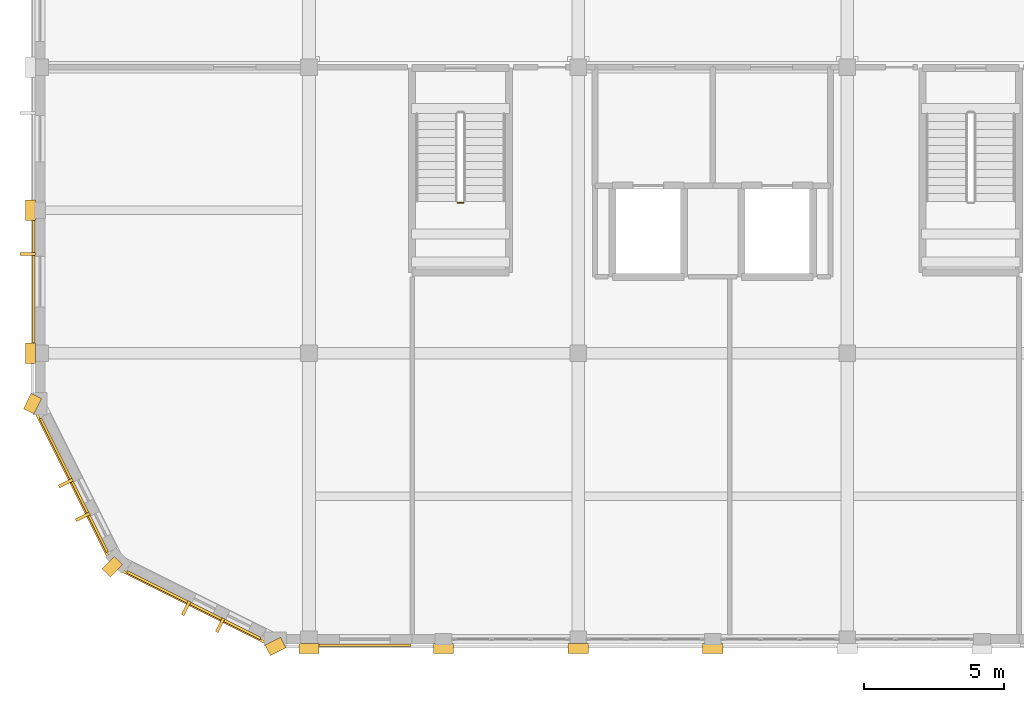
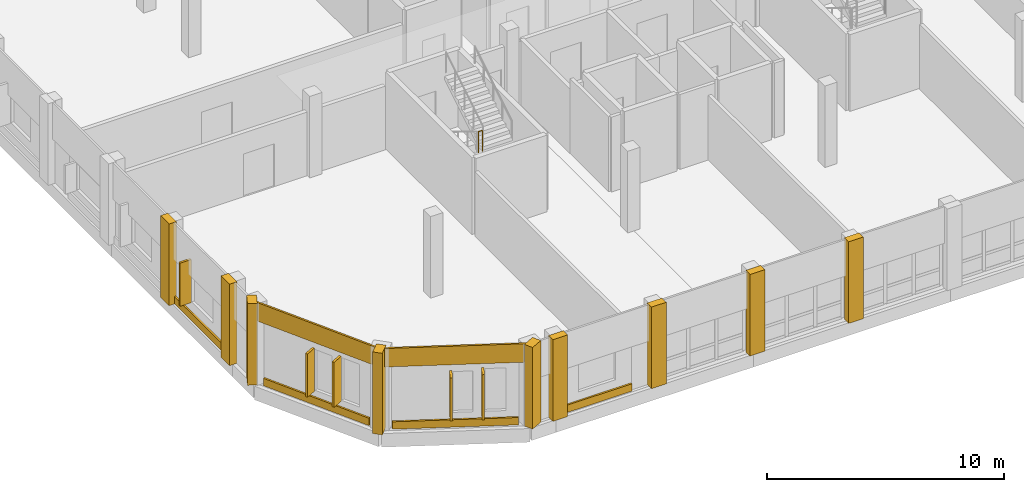
# One storey, part 86 of 93: 15 coverings, 5 shading devices, 1 railing.
"""IFC4 building model written with IfcOpenShell, lengths in metres."""

from ifc_helpers import new_model, si_unit, direction, frame, origin, origin_2d, place, context, subcontext, project, spatial, rectangle, circle, extrude, material, layer, layer_set, type_object, element, save


model = new_model("IFC4")

# Units and contexts
model_context = context("Model", 3, precision=1e-05, world=origin(), true_north=direction((0.0, 1.0)))
body_context = subcontext(model_context, "Body", "Model", "MODEL_VIEW")
ifc_project = project(units=[si_unit("LENGTHUNIT", "METRE"), si_unit("AREAUNIT", "SQUARE_METRE"), si_unit("VOLUMEUNIT", "CUBIC_METRE"), si_unit("PLANEANGLEUNIT", "RADIAN"), si_unit("MASSUNIT", "GRAM", prefix="KILO")], contexts=[model_context])

# Site, building, storey
site_placement = place(None, origin())
site = spatial("IfcSite", under=ifc_project, at=site_placement, CompositionType="ELEMENT")
building_placement = place(site_placement, origin())
building = spatial("IfcBuilding", under=site, at=building_placement, Name="Vondelvale Polytechnic", CompositionType="ELEMENT")
storey_placement = place(building_placement, frame((0.0, 0.0, 18.0)))
storey = spatial("IfcBuildingStorey", under=building, at=storey_placement, Name="L04", CompositionType="ELEMENT", Elevation=18.0)

# Coverings
ifc_material_1 = material(Name="Amsterdam School iron-spot clinker clay brickwork", Category="masonry")
ifc_layer_1 = layer(ifc_material_1, 0.090087890625)
ifc_layer_set_1 = layer_set([ifc_layer_1], Name="COV-BRICK-RELIEF")
covering_type = type_object("IfcCoveringType", Name="COV-BRICK-RELIEF", PredefinedType="CLADDING", material=ifc_layer_set_1)
for number, where, z_axis, x_axis, name in (
    (1, (5.4814453125, 1.1630859375, 3.25), (0.0, 0.0, 1.0), (-0.89438856037, 0.447290848419, 0.0), "L04 exterior masonry spandrel band"),
    (2, (1.1630859375, 5.4814453125, 3.25), (0.0, 0.0, 1.0), (-0.447290848419, 0.89438856037, 0.0), "L04 exterior masonry spandrel band"),
):
    element("IfcCovering", number, at=place(storey_placement, frame(where, z_axis=z_axis, x_axis=x_axis)), inside=storey, type_object=covering_type, Name=name, PredefinedType="CLADDING", context=body_context, shape_type="SweptSolid", body=[
        extrude(rectangle(XDim=6.260986328125, YDim=0.090087890625, at=origin_2d()), origin(), (0.0, 0.0, 1.0), 0.949951171875),
    ])
for number, where, z_axis, x_axis, name in (
    (3, (5.491943359375, 1.212646484375, 0.0), (0.0, 0.0, 1.0), (-0.89438856037, 0.447290848419, 0.0), "L04 exterior corbelled masonry relief band"),
    (4, (1.212646484375, 5.491943359375, 0.0), (0.0, 0.0, 1.0), (-0.447290848419, 0.89438856037, 0.0), "L04 exterior corbelled masonry relief band"),
):
    element("IfcCovering", number, at=place(storey_placement, frame(where, z_axis=z_axis, x_axis=x_axis)), inside=storey, type_object=covering_type, Name=name, PredefinedType="CLADDING", context=body_context, shape_type="SweptSolid", body=[
        extrude(rectangle(XDim=5.330078125, YDim=0.090087890625, at=origin_2d()), origin(), (0.0, 0.0, 1.0), 0.3798828125),
    ])
covering_1_placement = place(storey_placement, frame((11.587890625, -0.216064453125, 0.0), z_axis=(0.0, 0.0, 1.0), x_axis=(-1.0, 0.0, 0.0)))
element("IfcCovering", 5, at=covering_1_placement, inside=storey, type_object=covering_type, Name="L04 exterior corbelled masonry relief band", PredefinedType="CLADDING", context=body_context, shape_type="SweptSolid", body=[
    extrude(rectangle(XDim=3.31396484375, YDim=0.090087890625, at=origin_2d()), origin(), (0.0, 0.0, 1.0), 0.3798828125),
])
covering_2_placement = place(storey_placement, frame((-0.216064453125, 12.75, 0.0), z_axis=(0.0, 0.0, 1.0), x_axis=(0.0, 1.0, 0.0)))
element("IfcCovering", 6, at=covering_2_placement, inside=storey, type_object=covering_type, Name="L04 exterior corbelled masonry relief band", PredefinedType="CLADDING", context=body_context, shape_type="SweptSolid", body=[
    extrude(rectangle(XDim=4.43798828125, YDim=0.090087890625, at=origin_2d()), origin(), (0.0, 0.0, 1.0), 0.3798828125),
])
for number, where, z_axis, x_axis, name in (
    (7, (9.60009765625, -0.340087890625, 0.0), (0.0, 0.0, 1.0), (1.0, 0.0, 0.0), "L04 Classical street pilaster"),
    (8, (14.39990234375, -0.340087890625, 0.0), (0.0, 0.0, 1.0), (1.0, 0.0, 0.0), "L04 Classical street pilaster"),
    (9, (19.199951171875, -0.340087890625, 0.0), (0.0, 0.0, 1.0), (1.0, 0.0, 0.0), "L04 Classical street pilaster"),
    (10, (24.0, -0.340087890625, 0.0), (0.0, 0.0, 1.0), (1.0, 0.0, 0.0), "L04 Classical street pilaster"),
):
    element("IfcCovering", number, at=place(storey_placement, frame(where, z_axis=z_axis, x_axis=x_axis)), inside=storey, type_object=covering_type, Name=name, PredefinedType="CLADDING", context=body_context, shape_type="SweptSolid", body=[
        extrude(rectangle(XDim=0.719970703125, YDim=0.360107421875, at=origin_2d()), origin(), (0.0, 0.0, 1.0), 4.199951171875),
    ])
for number, where, z_axis, x_axis, name in (
    (11, (-0.340087890625, 10.199951171875, 0.0), (0.0, 0.0, 1.0), (1.0, 0.0, 0.0), "L04 Classical street pilaster"),
    (12, (-0.340087890625, 15.300048828125, 0.0), (0.0, 0.0, 1.0), (1.0, 0.0, 0.0), "L04 Classical street pilaster"),
):
    element("IfcCovering", number, at=place(storey_placement, frame(where, z_axis=z_axis, x_axis=x_axis)), inside=storey, type_object=covering_type, Name=name, PredefinedType="CLADDING", context=body_context, shape_type="SweptSolid", body=[
        extrude(rectangle(XDim=0.360107421875, YDim=0.719970703125, at=origin_2d()), origin(), (0.0, 0.0, 1.0), 4.199951171875),
    ])
for number, where, z_axis, x_axis, name in (
    (13, (8.39990234375, -0.260009765625, 0.0), (0.0, 0.0, 1.0), (0.894934361602, 0.44619781311, 0.0), "L04 Amsterdam School turret buttress rib"),
    (14, (2.580078125, 2.580078125, 0.0), (0.0, 0.0, 1.0), (0.707106781187, 0.707106781187, 0.0), "L04 Amsterdam School turret buttress rib"),
    (15, (-0.260009765625, 8.39990234375, 0.0), (0.0, 0.0, 1.0), (0.44619781311, 0.894934361602, 0.0), "L04 Amsterdam School turret buttress rib"),
):
    element("IfcCovering", number, at=place(storey_placement, frame(where, z_axis=z_axis, x_axis=x_axis)), inside=storey, type_object=covering_type, Name=name, PredefinedType="CLADDING", context=body_context, shape_type="SweptSolid", body=[
        extrude(rectangle(XDim=0.6201171875, YDim=0.419921875, at=origin_2d()), origin(), (0.0, 0.0, 1.0), 4.199951171875),
    ])

# Railing
ifc_material_2 = material(Name="Brushed architectural stainless and zinc-coated metal")
ifc_layer_2 = layer(ifc_material_2, 0.050048828125)
ifc_layer_set_2 = layer_set([ifc_layer_2], Name="RL-STAIR-GUARD")
railing_type = type_object("IfcRailingType", Name="RL-STAIR-GUARD", PredefinedType="GUARDRAIL", material=ifc_layer_set_2)
railing_placement = place(storey_placement, frame((14.89990234375, 15.56494140625, 2.10009765625)))
element("IfcRailing", 16, at=railing_placement, inside=storey, type_object=railing_type, Name="L04 ST-03 stair guard 2", PredefinedType="GUARDRAIL", context=body_context, shape_type="SweptSolid", body=[
    extrude(circle(Radius=0.02392578125, at=origin_2d()), frame((0.0, 0.0, 1.076171875), z_axis=(1.0, 0.0, 0.0), x_axis=(0.0, 1.0, 0.0)), (0.0, 0.0, 1.0), 0.2001953125),
    extrude(circle(Radius=0.02099609375, at=origin_2d()), origin(), (0.0, 0.0, 1.0), 1.052001953125),
    extrude(circle(Radius=0.02099609375, at=origin_2d()), frame((0.2001953125, 0.0, 0.0)), (0.0, 0.0, 1.0), 1.052001953125),
])

# Shading devices
ifc_material_3 = material(Name="Kiln-fired architectural terracotta", Category="masonry")
shading_device_type = type_object("IfcShadingDeviceType", Name="SHD-TERRA-FIN-550", PredefinedType="JALOUSIE", material=ifc_material_3)
shading_device_1_placement = place(storey_placement, frame((6.427001953125, 0.5, 0.64013671875), z_axis=(0.0, 0.0, 1.0), x_axis=(-0.89438856037, 0.447290848419, 0.0)))
element("IfcShadingDevice", 17, at=shading_device_1_placement, inside=storey, type_object=shading_device_type, Name="L04 vertical terracotta solar fin", PredefinedType="JALOUSIE", context=body_context, shape_type="SweptSolid", body=[
    extrude(rectangle(XDim=0.110107421875, YDim=0.550048828125, at=origin_2d()), origin(), (0.0, 0.0, 1.0), 2.320068359375),
])
shading_device_2_placement = place(storey_placement, frame((5.219482421875, 1.10400390625, 0.64013671875), z_axis=(0.0, 0.0, 1.0), x_axis=(-0.89438856037, 0.447290848419, 0.0)))
element("IfcShadingDevice", 18, at=shading_device_2_placement, inside=storey, type_object=shading_device_type, Name="L04 vertical terracotta solar fin", PredefinedType="JALOUSIE", context=body_context, shape_type="SweptSolid", body=[
    extrude(rectangle(XDim=0.110107421875, YDim=0.550048828125, at=origin_2d()), origin(), (0.0, 0.0, 1.0), 2.219970703125),
])
shading_device_3_placement = place(storey_placement, frame((1.533203125, 4.361083984375, 0.64013671875), z_axis=(0.0, 0.0, 1.0), x_axis=(-0.447290848419, 0.89438856037, 0.0)))
element("IfcShadingDevice", 19, at=shading_device_3_placement, inside=storey, type_object=shading_device_type, Name="L04 vertical terracotta solar fin", PredefinedType="JALOUSIE", context=body_context, shape_type="SweptSolid", body=[
    extrude(rectangle(XDim=0.110107421875, YDim=0.550048828125, at=origin_2d()), origin(), (0.0, 0.0, 1.0), 2.320068359375),
])
for number, where, z_axis, x_axis, name in (
    (20, (0.929443359375, 5.568359375, 0.64013671875), (0.0, 0.0, 1.0), (-0.447290848419, 0.89438856037, 0.0), "L04 vertical terracotta solar fin"),
    (21, (-0.43505859375, 13.739990234375, 0.7900390625), (0.0, 0.0, 1.0), (0.0, 1.0, 0.0), "L04 vertical terracotta solar fin"),
):
    element("IfcShadingDevice", number, at=place(storey_placement, frame(where, z_axis=z_axis, x_axis=x_axis)), inside=storey, type_object=shading_device_type, Name=name, PredefinedType="JALOUSIE", context=body_context, shape_type="SweptSolid", body=[
        extrude(rectangle(XDim=0.110107421875, YDim=0.550048828125, at=origin_2d()), origin(), (0.0, 0.0, 1.0), 2.219970703125),
    ])

save(model, "model.ifc")
